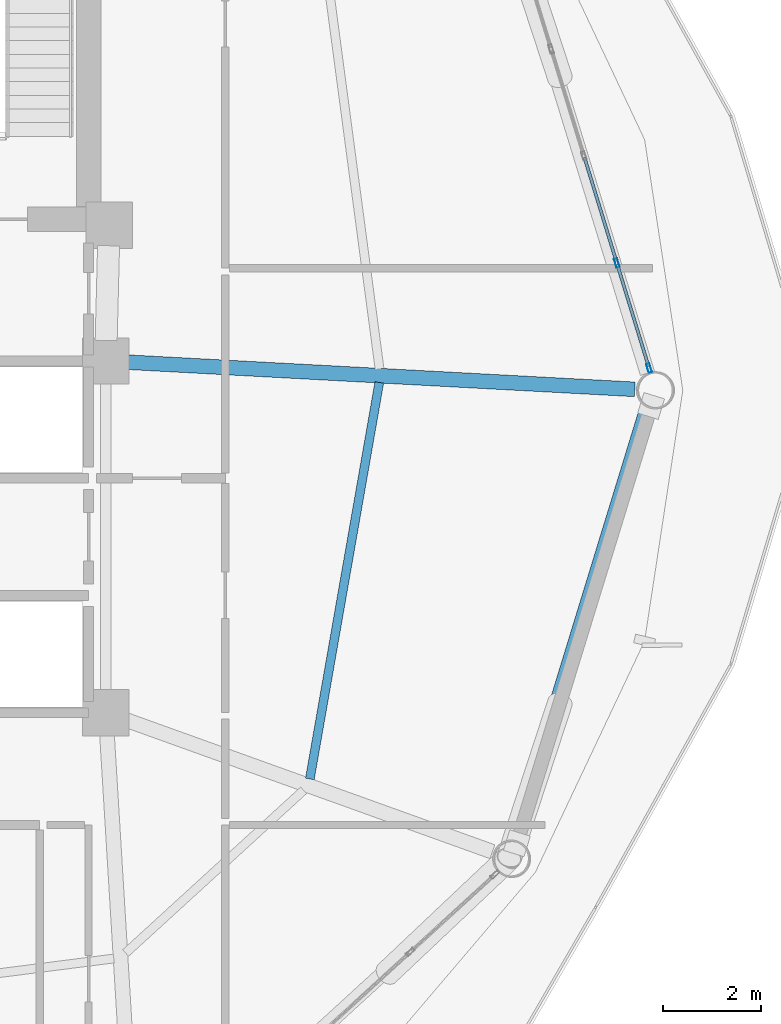
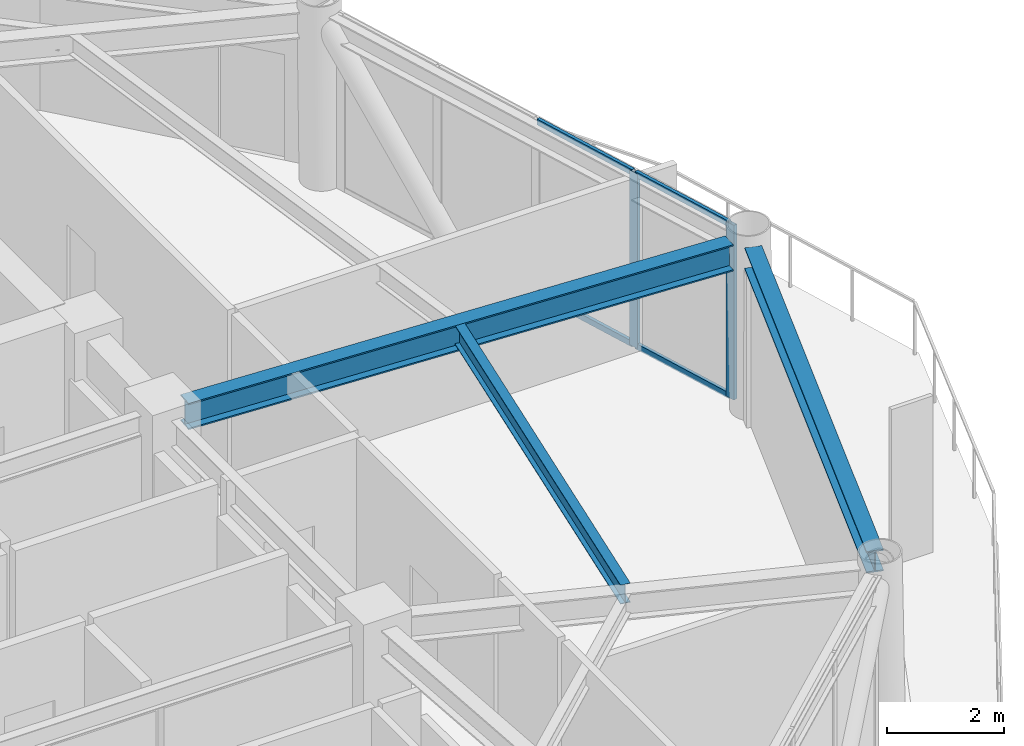
# One storey, part 13 of 23: 6 members, 3 beams, 1 element without a shape of its own.
"""IFC4 building model written with IfcOpenShell, lengths in metres."""

from ifc_helpers import new_model, si_unit, direction, frame, origin, origin_2d, place, context, subcontext, project, spatial, hollow_rectangle, i_section, extrude, material, layer, layer_set, material_profile, profile_set, type_object, element, aggregate, save


model = new_model("IFC4")

# Units and contexts
model_context = context("Model", 3, precision=1e-05, world=origin(), true_north=direction((0.0, 1.0)))
body_context = subcontext(model_context, "Body", "Model", "MODEL_VIEW")
ifc_project = project(units=[si_unit("LENGTHUNIT", "METRE"), si_unit("AREAUNIT", "SQUARE_METRE"), si_unit("VOLUMEUNIT", "CUBIC_METRE"), si_unit("PLANEANGLEUNIT", "RADIAN"), si_unit("MASSUNIT", "GRAM", prefix="KILO")], contexts=[model_context])

# Site, building, storey
site_placement = place(None, origin())
site = spatial("IfcSite", under=ifc_project, at=site_placement, CompositionType="ELEMENT")
building_placement = place(site_placement, origin())
building = spatial("IfcBuilding", under=site, at=building_placement, Name="Varnakorn Sky Granary", CompositionType="ELEMENT")
storey_placement = place(building_placement, frame((0.0, 0.0, 130.5)))
storey = spatial("IfcBuildingStorey", under=building, at=storey_placement, Name="L32", CompositionType="ELEMENT", Elevation=130.5)

# Beams
ifc_material_1 = material(Name="Steel S355JR", Category="steel")
ifc_material_profile_1 = material_profile(ifc_material_1, i_section(OverallWidth=0.300048828125, OverallDepth=0.550048828125, WebThickness=0.014892578125, FlangeThickness=0.029052734375, at=origin_2d()), Name="HE 550 B")
ifc_profile_set_1 = profile_set([ifc_material_profile_1], Name="Steel S355JR")
beam_type_1 = type_object("IfcBeamType", Name="BM-RAD-Z3", PredefinedType="BEAM", material=ifc_profile_set_1)
beam_1_placement = place(storey_placement, frame((8.769287109375, 0.577392578125, 3.364990234375), z_axis=(0.998568645765, -0.053485135266, 0.0), x_axis=(0.053485135266, 0.998568645765, 0.0)))
element("IfcBeam", 1, at=beam_1_placement, inside=storey, type_object=beam_type_1, Name="Radial Floor Girder RG01 L32", PredefinedType="BEAM", context=body_context, shape_type="SweptSolid", body=[
    extrude(i_section(OverallWidth=0.300048828125, OverallDepth=0.550048828125, WebThickness=0.014892578125, FlangeThickness=0.029052734375, at=origin_2d()), origin(), (0.0, 0.0, 1.0), 10.43017578125),
])
ifc_material_profile_2 = material_profile(ifc_material_1, i_section(OverallWidth=0.179931640625, OverallDepth=0.39990234375, WebThickness=0.008544921875, FlangeThickness=0.013427734375, at=origin_2d()), Name="IPE 400")
ifc_profile_set_2 = profile_set([ifc_material_profile_2], Name="Steel S355JR")
beam_type_2 = type_object("IfcBeamType", Name="BM-SEC-Z3", PredefinedType="BEAM", material=ifc_profile_set_2)
beam_2_placement = place(storey_placement, frame((12.531005859375, -7.957275390625, 3.43994140625), z_axis=(0.172526200898, 0.985004928924, 0.0), x_axis=(-0.985004928924, 0.172526200898, 0.0)))
element("IfcBeam", 2, at=beam_2_placement, inside=storey, type_object=beam_type_2, Name="Secondary Floor Chord Beam MSB12 L32", PredefinedType="BEAM", context=body_context, shape_type="SweptSolid", body=[
    extrude(i_section(OverallWidth=0.179931640625, OverallDepth=0.39990234375, WebThickness=0.008544921875, FlangeThickness=0.013427734375, at=origin_2d()), origin(), (0.0, 0.0, 1.0), 8.241455078125),
])
ifc_material_profile_3 = material_profile(ifc_material_1, i_section(OverallWidth=0.300048828125, OverallDepth=0.449951171875, WebThickness=0.013916015625, FlangeThickness=0.02587890625, at=origin_2d()), Name="HE 450 B")
ifc_profile_set_3 = profile_set([ifc_material_profile_3], Name="Steel S355JR")
beam_type_3 = type_object("IfcBeamType", Name="BM-SPD-Z3", PredefinedType="SPANDREL", material=ifc_profile_set_3)
beam_3_placement = place(storey_placement, frame((16.72021484375, -9.22216796875, 3.4150390625), z_axis=(0.293344484103, 0.956006806276, 0.0), x_axis=(-0.956006806276, 0.293344484103, 0.0)))
element("IfcBeam", 3, at=beam_3_placement, inside=storey, type_object=beam_type_3, Name="Perimeter Spandrel Ring Beam RB12 L32", PredefinedType="SPANDREL", context=body_context, shape_type="SweptSolid", body=[
    extrude(i_section(OverallWidth=0.300048828125, OverallDepth=0.449951171875, WebThickness=0.013916015625, FlangeThickness=0.02587890625, at=origin_2d()), origin(), (0.0, 0.0, 1.0), 9.280517578125),
])

# Curtain wall, members
ifc_material_2 = material(Name="Anodised Bronze Aluminium Alloy 6063-T6", Category="aluminium")
ifc_layer = layer(ifc_material_2, 0.179931640625, Name="Anodised Bronze Aluminium Alloy 6063-T6")
ifc_layer_set = layer_set([ifc_layer], Name="Anodised Bronze Aluminium Alloy 6063-T6")
curtain_wall_type = type_object("IfcCurtainWallType", Name="CW-FRM-2", PredefinedType="USERDEFINED", material=ifc_layer_set)
curtain_wall_placement = place(storey_placement, origin())
curtain_wall = element("IfcCurtainWall", 4, at=curtain_wall_placement, inside=storey, type_object=curtain_wall_type, Name="Unitised Curtain Wall CW4 CW-L32-B01", ObjectType="CURTAIN WALL", PredefinedType="USERDEFINED")
ifc_material_profile_4 = material_profile(ifc_material_2, hollow_rectangle(XDim=0.070068359375, YDim=0.18505859375, WallThickness=0.00390625, at=origin_2d()), Name="ALU MULL 70x185")
ifc_profile_set_4 = profile_set([ifc_material_profile_4], Name="Anodised Bronze Aluminium Alloy 6063-T6")
member_type_1 = type_object("IfcMemberType", Name="CW-FRM-2-MULL", PredefinedType="MULLION", material=ifc_profile_set_4)
member_1_placement = place(storey_placement, frame((18.815673828125, 2.609619140625, 0.0), z_axis=(0.0, 0.0, 1.0), x_axis=(0.955954304208, 0.293515533262, 0.0)))
member_1 = element("IfcMember", 5, at=member_1_placement, type_object=member_type_1, Name="CW4 mullion 4", PredefinedType="MULLION", context=body_context, shape_type="SweptSolid", body=[
    extrude(hollow_rectangle(XDim=0.070068359375, YDim=0.18505859375, WallThickness=0.00390625, at=origin_2d()), origin(), (0.0, 0.0, 1.0), 3.639892578125),
])
member_2_placement = place(storey_placement, frame((19.477294921875, 0.455078125, 0.0), z_axis=(0.0, 0.0, 1.0), x_axis=(0.955954304208, 0.293515533262, 0.0)))
member_2 = element("IfcMember", 6, at=member_2_placement, type_object=member_type_1, Name="CW4 mullion 5", PredefinedType="MULLION", context=body_context, shape_type="SweptSolid", body=[
    extrude(hollow_rectangle(XDim=0.070068359375, YDim=0.18505859375, WallThickness=0.00390625, at=origin_2d()), origin(), (0.0, 0.0, 1.0), 3.639892578125),
])
ifc_material_profile_5 = material_profile(ifc_material_2, hollow_rectangle(XDim=0.06494140625, YDim=0.1201171875, WallThickness=0.00341796875, at=origin_2d()), Name="ALU TRAN 65x120")
ifc_profile_set_5 = profile_set([ifc_material_profile_5], Name="Anodised Bronze Aluminium Alloy 6063-T6")
member_type_2 = type_object("IfcMemberType", Name="CW-FRM-2-TRAN", PredefinedType="USERDEFINED", material=ifc_profile_set_5)
member_3_placement = place(storey_placement, frame((18.154296875, 4.764404296875, 0.032470703125), z_axis=(0.29342862101, -0.955980985361, 0.0), x_axis=(0.955980985361, 0.29342862101, 0.0)))
member_3 = element("IfcMember", 7, at=member_3_placement, type_object=member_type_2, Name="CW4 transom 3.1", ObjectType="TRANSOM", PredefinedType="USERDEFINED", context=body_context, shape_type="SweptSolid", body=[
    extrude(hollow_rectangle(XDim=0.06494140625, YDim=0.1201171875, WallThickness=0.00341796875, at=origin_2d()), origin(), (0.0, 0.0, 1.0), 2.218994140625),
])
member_4_placement = place(storey_placement, frame((18.154296875, 4.764404296875, 3.607421875), z_axis=(0.29342862101, -0.955980985361, 0.0), x_axis=(0.955980985361, 0.29342862101, 0.0)))
member_4 = element("IfcMember", 8, at=member_4_placement, type_object=member_type_2, Name="CW4 transom 3.2", ObjectType="TRANSOM", PredefinedType="USERDEFINED", context=body_context, shape_type="SweptSolid", body=[
    extrude(hollow_rectangle(XDim=0.06494140625, YDim=0.1201171875, WallThickness=0.00341796875, at=origin_2d()), origin(), (0.0, 0.0, 1.0), 2.218994140625),
])
member_5_placement = place(storey_placement, frame((18.825927734375, 2.576171875, 0.032470703125), z_axis=(0.293567329684, -0.955938399136, 0.0), x_axis=(0.955938399136, 0.293567329684, 0.0)))
member_5 = element("IfcMember", 9, at=member_5_placement, type_object=member_type_2, Name="CW4 transom 4.1", ObjectType="TRANSOM", PredefinedType="USERDEFINED", context=body_context, shape_type="SweptSolid", body=[
    extrude(hollow_rectangle(XDim=0.06494140625, YDim=0.1201171875, WallThickness=0.00341796875, at=origin_2d()), origin(), (0.0, 0.0, 1.0), 2.183837890625),
])
member_6_placement = place(storey_placement, frame((18.825927734375, 2.576171875, 3.607421875), z_axis=(0.293567329684, -0.955938399136, 0.0), x_axis=(0.955938399136, 0.293567329684, 0.0)))
member_6 = element("IfcMember", 10, at=member_6_placement, type_object=member_type_2, Name="CW4 transom 4.2", ObjectType="TRANSOM", PredefinedType="USERDEFINED", context=body_context, shape_type="SweptSolid", body=[
    extrude(hollow_rectangle(XDim=0.06494140625, YDim=0.1201171875, WallThickness=0.00341796875, at=origin_2d()), origin(), (0.0, 0.0, 1.0), 2.183837890625),
])
aggregate(curtain_wall, [member_1, member_2, member_3, member_4, member_5, member_6])

save(model, "model.ifc")
